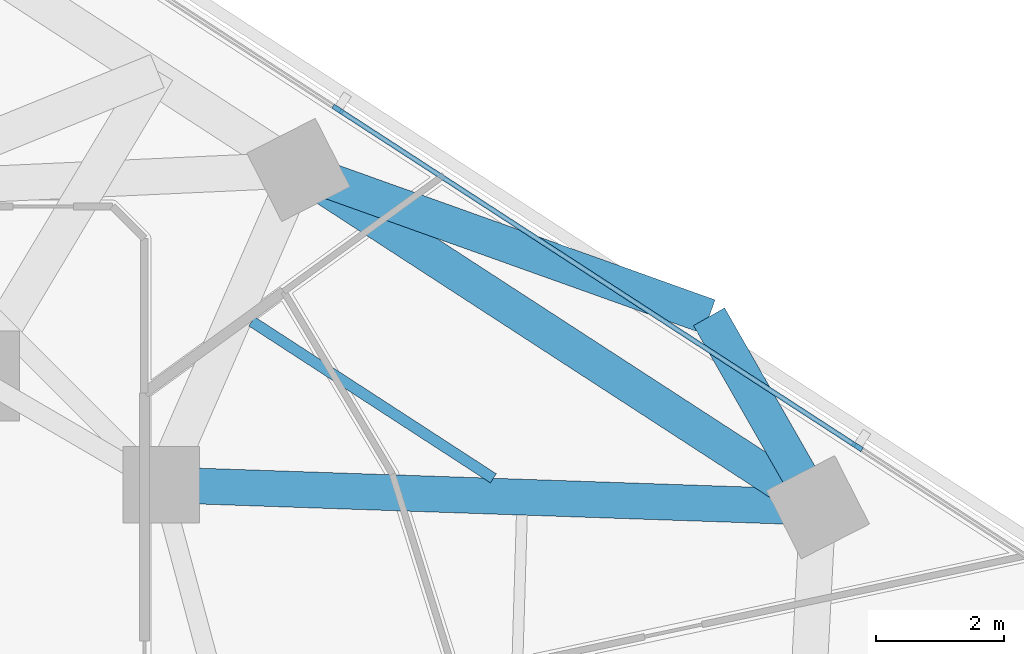
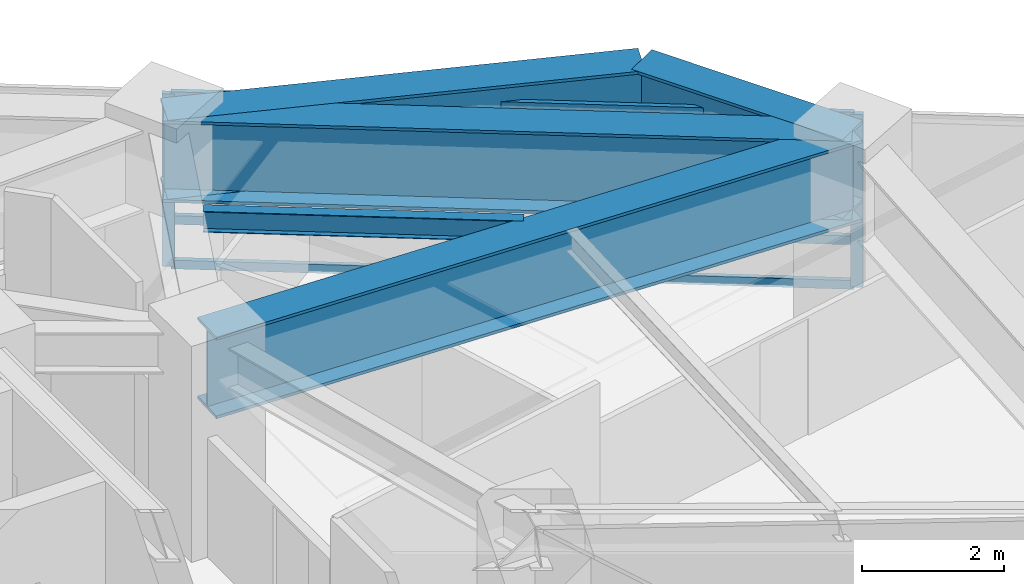
# One storey, part 7 of 15: 5 beams, 5 members, 1 element without a shape of its own.
"""IFC4 building model written with IfcOpenShell, lengths in metres."""

from ifc_helpers import new_model, si_unit, direction, frame, origin, origin_2d, place, context, subcontext, project, spatial, rectangle, i_section, extrude, material, layer, layer_set, material_profile, profile_set, type_object, element, aggregate, save


model = new_model("IFC4")

# Units and contexts
model_context = context("Model", 3, precision=1e-05, world=origin(), true_north=direction((0.0, 1.0)))
body_context = subcontext(model_context, "Body", "Model", "MODEL_VIEW")
ifc_project = project(units=[si_unit("LENGTHUNIT", "METRE"), si_unit("AREAUNIT", "SQUARE_METRE"), si_unit("VOLUMEUNIT", "CUBIC_METRE"), si_unit("PLANEANGLEUNIT", "RADIAN"), si_unit("MASSUNIT", "GRAM", prefix="KILO")], contexts=[model_context])

# Site, building, storey
site_placement = place(None, origin())
site = spatial("IfcSite", under=ifc_project, at=site_placement, CompositionType="ELEMENT")
building_placement = place(site_placement, origin())
building = spatial("IfcBuilding", under=site, at=building_placement, Name="Terralouvre Media Tower", CompositionType="ELEMENT")
storey_placement = place(building_placement, frame((0.0, 0.0, 145.800048828125)))
storey = spatial("IfcBuildingStorey", under=building, at=storey_placement, Name="L37", CompositionType="ELEMENT", Elevation=145.800048828125)

# Beam
ifc_material_1 = material(Name="Structural steel S355J2", Category="steel")
ifc_material_profile_1 = material_profile(ifc_material_1, i_section(OverallWidth=0.169921875, OverallDepth=0.360107421875, WebThickness=0.008056640625, FlangeThickness=0.0126953125, at=origin_2d()), Name="IPE 360")
ifc_profile_set_1 = profile_set([ifc_material_profile_1], Name="Structural steel S355J2")
beam_type_1 = type_object("IfcBeamType", Name="Composite Floor Joist J-IPE360 (IPE 360)", PredefinedType="JOIST", material=ifc_profile_set_1)
beam_1_placement = place(storey_placement, frame((16.103271484375, 6.401123046875, 3.280029296875), z_axis=(-0.838649265849, 0.544671835963, 0.0), x_axis=(-0.544671835963, -0.838649265849, 0.0)))
element("IfcBeam", 1, at=beam_1_placement, inside=storey, type_object=beam_type_1, Name="L37 Framing Beam JT-L37-07", PredefinedType="JOIST", context=body_context, shape_type="SweptSolid", body=[
    extrude(i_section(OverallWidth=0.169921875, OverallDepth=0.360107421875, WebThickness=0.008056640625, FlangeThickness=0.0126953125, at=origin_2d()), origin(), (0.0, 0.0, 1.0), 4.501220703125),
])

# Curtain wall, members
ifc_material_2 = material(Name="Low-iron laminated double glazing with solar-control coating", Category="glass")
ifc_layer = layer(ifc_material_2, 0.1650390625, Name="Production Studio Tower Curtain Wall CW-03")
ifc_layer_set = layer_set([ifc_layer], Name="Low-iron laminated double glazing with solar-control coating")
curtain_wall_type = type_object("IfcCurtainWallType", Name="Production Studio Tower Curtain Wall CW-03", PredefinedType="NOTDEFINED", material=ifc_layer_set)
curtain_wall_placement = place(storey_placement, origin())
curtain_wall = element("IfcCurtainWall", 2, at=curtain_wall_placement, inside=storey, type_object=curtain_wall_type, Name="L37 Facade Curtain Wall F1", PredefinedType="NOTDEFINED")
ifc_material_3 = material(Name="Anodised extruded aluminium 6063-T6", Category="aluminium")
ifc_material_profile_2 = material_profile(ifc_material_3, rectangle(XDim=0.074951171875, YDim=0.14990234375, at=origin_2d()), Name="ALU 75x150")
ifc_profile_set_2 = profile_set([ifc_material_profile_2], Name="Anodised extruded aluminium 6063-T6")
member_type_1 = type_object("IfcMemberType", Name="Curtain-Wall Horizontal Transom TR-150", PredefinedType="USERDEFINED", material=ifc_profile_set_2)
member_1_placement = place(storey_placement, frame((21.760009765625, 6.916259765625, 0.037353515625), z_axis=(-0.838661320759, 0.544653274169, 0.0), x_axis=(-0.544653274169, -0.838661320759, 0.0)))
member_1 = element("IfcMember", 3, at=member_1_placement, type_object=member_type_1, Name="CW-03 transom 2.1", ObjectType="TRANSOM", PredefinedType="USERDEFINED", context=body_context, shape_type="SweptSolid", body=[
    extrude(rectangle(XDim=0.074951171875, YDim=0.14990234375, at=origin_2d()), origin(), (0.0, 0.0, 1.0), 9.60498046875),
])
member_2_placement = place(storey_placement, frame((21.760009765625, 6.916259765625, 0.800048828125), z_axis=(-0.838661320759, 0.544653274169, 0.0), x_axis=(-0.544653274169, -0.838661320759, 0.0)))
member_2 = element("IfcMember", 4, at=member_2_placement, type_object=member_type_1, Name="CW-03 transom 2.2", ObjectType="TRANSOM", PredefinedType="USERDEFINED", context=body_context, shape_type="SweptSolid", body=[
    extrude(rectangle(XDim=0.074951171875, YDim=0.14990234375, at=origin_2d()), origin(), (0.0, 0.0, 1.0), 9.60498046875),
])
member_3_placement = place(storey_placement, frame((21.760009765625, 6.916259765625, 2.92236328125), z_axis=(-0.838661320759, 0.544653274169, 0.0), x_axis=(-0.544653274169, -0.838661320759, 0.0)))
member_3 = element("IfcMember", 5, at=member_3_placement, type_object=member_type_1, Name="CW-03 transom 2.3", ObjectType="TRANSOM", PredefinedType="USERDEFINED", context=body_context, shape_type="SweptSolid", body=[
    extrude(rectangle(XDim=0.074951171875, YDim=0.14990234375, at=origin_2d()), origin(), (0.0, 0.0, 1.0), 9.60498046875),
])
ifc_material_4 = material(Name="Anodised extruded aluminium 6063-T6", Category="aluminium")
ifc_material_profile_3 = material_profile(ifc_material_4, rectangle(XDim=0.074951171875, YDim=0.179931640625, at=origin_2d()), Name="ALU 75x180")
ifc_profile_set_3 = profile_set([ifc_material_profile_3], Name="Anodised extruded aluminium 6063-T6")
member_type_2 = type_object("IfcMemberType", Name="Curtain-Wall Vertical Mullion ML-180", PredefinedType="MULLION", material=ifc_profile_set_3)
member_4_placement = place(storey_placement, frame((21.79150390625, 6.89599609375, 0.0), z_axis=(0.0, 0.0, 1.0), x_axis=(-0.544639002681, -0.838670588944, 0.0)))
member_4 = element("IfcMember", 6, at=member_4_placement, type_object=member_type_2, Name="CW-03 mullion 2", PredefinedType="MULLION", context=body_context, shape_type="SweptSolid", body=[
    extrude(rectangle(XDim=0.074951171875, YDim=0.179931640625, at=origin_2d()), origin(), (0.0, 0.0, 1.0), 2.9599609375),
])
member_5_placement = place(storey_placement, frame((13.673095703125, 12.16796875, 0.0), z_axis=(0.0, 0.0, 1.0), x_axis=(-0.544639002681, -0.838670588944, 0.0)))
member_5 = element("IfcMember", 7, at=member_5_placement, type_object=member_type_2, Name="CW-03 mullion 3", PredefinedType="MULLION", context=body_context, shape_type="SweptSolid", body=[
    extrude(rectangle(XDim=0.074951171875, YDim=0.179931640625, at=origin_2d()), origin(), (0.0, 0.0, 1.0), 2.9599609375),
])
aggregate(curtain_wall, [member_4, member_5, member_1, member_2, member_3])

# Beams
ifc_material_5 = material(Name="Structural steel S460M", Category="steel")
ifc_material_profile_4 = material_profile(ifc_material_5, i_section(OverallWidth=0.56005859375, OverallDepth=1.39990234375, WebThickness=0.031982421875, FlangeThickness=0.050048828125, at=origin_2d()), Name="TG 1400x560")
ifc_profile_set_4 = profile_set([ifc_material_profile_4], Name="Structural steel S460M")
beam_type_2 = type_object("IfcBeamType", Name="Welded Transfer Girder TG-1400 (TG 1400x560)", PredefinedType="USERDEFINED", material=ifc_profile_set_4)
beam_2_placement = place(storey_placement, frame((21.176025390625, 5.9482421875, 2.760009765625), z_axis=(-0.838667695914, 0.54464345753, 0.0), x_axis=(-0.54464345753, -0.838667695914, 0.0)))
element("IfcBeam", 8, at=beam_2_placement, inside=storey, type_object=beam_type_2, Name="L37 Framing Beam BM-L37-PR07", ObjectType="TRANSFER GIRDER", PredefinedType="USERDEFINED", context=body_context, shape_type="SweptSolid", body=[
    extrude(i_section(OverallWidth=0.56005859375, OverallDepth=1.39990234375, WebThickness=0.031982421875, FlangeThickness=0.050048828125, at=origin_2d()), origin(), (0.0, 0.0, 1.0), 9.68017578125),
])
beam_3_placement = place(storey_placement, frame((10.911865234375, 6.300048828125, 2.760009765625), z_axis=(0.999413120714, -0.034255133128, 0.0), x_axis=(0.034255133128, 0.999413120714, 0.0)))
element("IfcBeam", 9, at=beam_3_placement, inside=storey, type_object=beam_type_2, Name="L37 Framing Beam BM-L37-RD07", ObjectType="TRANSFER GIRDER", PredefinedType="USERDEFINED", context=body_context, shape_type="SweptSolid", body=[
    extrude(i_section(OverallWidth=0.56005859375, OverallDepth=1.39990234375, WebThickness=0.031982421875, FlangeThickness=0.050048828125, at=origin_2d()), origin(), (0.0, 0.0, 1.0), 10.270263671875),
])
beam_4_placement = place(storey_placement, frame((19.474365234375, 8.92626953125, 2.760009765625), z_axis=(0.496123607233, -0.868251902587, 0.0), x_axis=(0.868251902587, 0.496123607233, 0.0)))
element("IfcBeam", 10, at=beam_4_placement, inside=storey, type_object=beam_type_2, Name="L37 Framing Beam BM-L37-TR05S1", ObjectType="TRANSFER GIRDER", PredefinedType="USERDEFINED", context=body_context, shape_type="SweptSolid", body=[
    extrude(i_section(OverallWidth=0.56005859375, OverallDepth=1.39990234375, WebThickness=0.031982421875, FlangeThickness=0.050048828125, at=origin_2d()), origin(), (0.0, 0.0, 1.0), 3.429931640625),
])
beam_5_placement = place(storey_placement, frame((19.474365234375, 8.92626953125, 2.760009765625), z_axis=(-0.941625946648, 0.336660922294, 0.0), x_axis=(-0.336660922294, -0.941625946648, 0.0)))
element("IfcBeam", 11, at=beam_5_placement, inside=storey, type_object=beam_type_2, Name="L37 Framing Beam BM-L37-TR05S2", ObjectType="TRANSFER GIRDER", PredefinedType="USERDEFINED", context=body_context, shape_type="SweptSolid", body=[
    extrude(i_section(OverallWidth=0.56005859375, OverallDepth=1.39990234375, WebThickness=0.031982421875, FlangeThickness=0.050048828125, at=origin_2d()), origin(), (0.0, 0.0, 1.0), 6.814453125),
])

save(model, "model.ifc")
